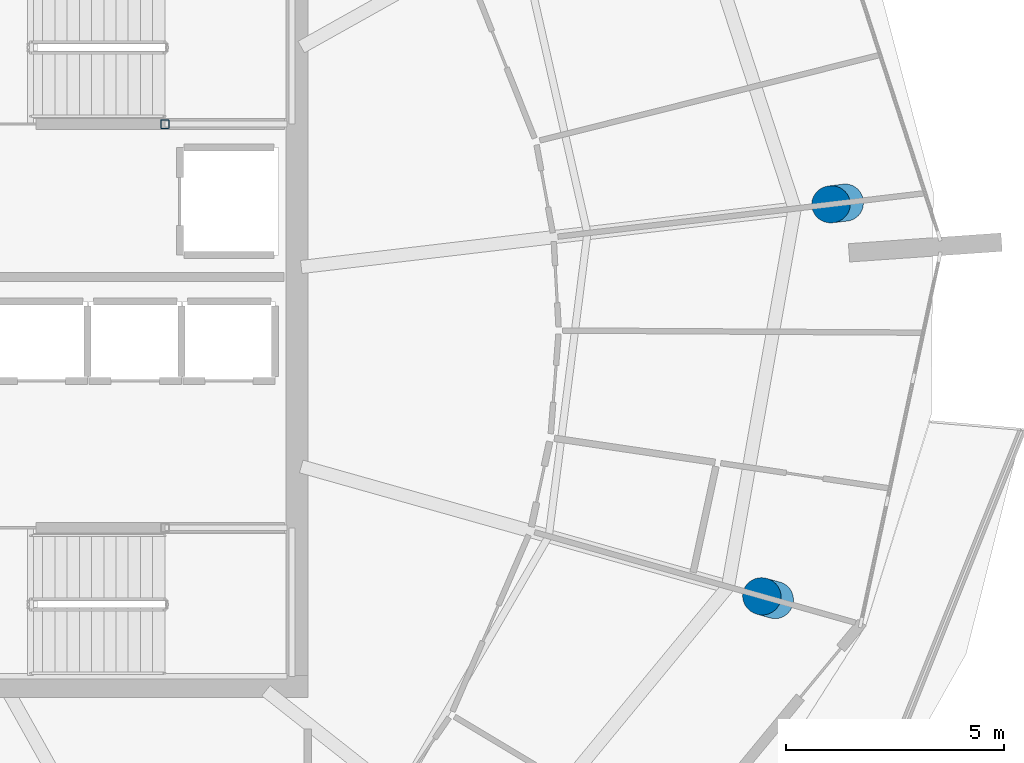
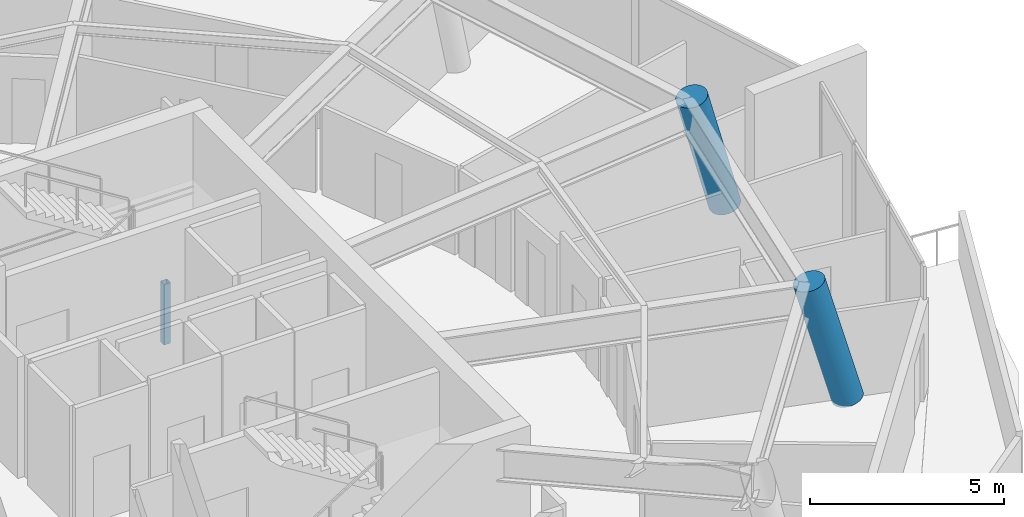
# One storey, part 3 of 19: 3 columns.
"""IFC4 building model written with IfcOpenShell, lengths in metres."""

from ifc_helpers import new_model, si_unit, direction, frame, origin, origin_2d, place, context, subcontext, project, spatial, hollow_rectangle, circle, extrude, material, material_profile, profile_set, type_object, element, save


model = new_model("IFC4")

# Units and contexts
model_context = context("Model", 3, precision=1e-05, world=origin(), true_north=direction((0.0, 1.0)))
body_context = subcontext(model_context, "Body", "Model", "MODEL_VIEW")
ifc_project = project(units=[si_unit("LENGTHUNIT", "METRE"), si_unit("AREAUNIT", "SQUARE_METRE"), si_unit("VOLUMEUNIT", "CUBIC_METRE"), si_unit("PLANEANGLEUNIT", "RADIAN"), si_unit("MASSUNIT", "GRAM", prefix="KILO")], contexts=[model_context])

# Site, building, storey
site_placement = place(None, origin())
site = spatial("IfcSite", under=ifc_project, at=site_placement, CompositionType="ELEMENT")
building_placement = place(site_placement, origin())
building = spatial("IfcBuilding", under=site, at=building_placement, Name="Kazma Halo Residences", CompositionType="ELEMENT")
storey_placement = place(building_placement, frame((0.0, 0.0, 347.300048828125)))
storey = spatial("IfcBuildingStorey", under=building, at=storey_placement, Name="L87", CompositionType="ELEMENT", Elevation=347.300048828125)

# Columns
ifc_material_1 = material(Name="Steel S355", Category="steel")
ifc_material_profile_1 = material_profile(ifc_material_1, hollow_rectangle(XDim=0.199951171875, YDim=0.199951171875, WallThickness=0.010009765625, InnerFilletRadius=0.010009765625, OuterFilletRadius=0.02001953125, at=origin_2d()), Name="SHS200x200x10")
ifc_profile_set_1 = profile_set([ifc_material_profile_1], Name="Steel S355")
column_type_1 = type_object("IfcColumnType", Name="COL-LP-SHS200", PredefinedType="COLUMN", material=ifc_profile_set_1)
column_1_placement = place(storey_placement, frame((56.280029296875, 46.6201171875, 0.0), z_axis=(0.0, 0.0, 1.0), x_axis=(1.0, 0.0, 0.0)))
element("IfcColumn", 1, at=column_1_placement, inside=storey, type_object=column_type_1, Name="L87 ST-02 landing pilaster 1", PredefinedType="COLUMN", context=body_context, shape_type="SweptSolid", body=[
    extrude(hollow_rectangle(XDim=0.199951171875, YDim=0.199951171875, WallThickness=0.010009765625, InnerFilletRadius=0.010009765625, OuterFilletRadius=0.02001953125, at=origin_2d()), origin(), (0.0, 0.0, 1.0), 1.89501953125),
])
ifc_material_2 = material(Name="Concrete C60/75", Category="concrete")
ifc_material_profile_2 = material_profile(ifc_material_2, circle(Radius=0.425048828125, at=origin_2d()), Name="CIRC850")
ifc_profile_set_2 = profile_set([ifc_material_profile_2], Name="Concrete C60/75")
column_type_2 = type_object("IfcColumnType", Name="COL-PERIM-850", PredefinedType="COLUMN", material=ifc_profile_set_2)
column_2_placement = place(storey_placement, frame((70.255615234375, 35.723388671875, 0.0), z_axis=(-0.249679030359, 0.070361834102, 0.965768913406), x_axis=(-0.27124427314, -0.96251054243, 0.0)))
element("IfcColumn", 2, at=column_2_placement, inside=storey, type_object=column_type_2, Name="L87 perimeter ring column P15", PredefinedType="COLUMN", context=body_context, shape_type="SweptSolid", body=[
    extrude(circle(Radius=0.425048828125, at=origin_2d()), origin(), (0.0, 0.0, 1.0), 3.934814453125),
])
column_3_placement = place(storey_placement, frame((71.8603515625, 44.82421875, 0.0), z_axis=(-0.266957826391, -0.031621569144, 0.963189283212), x_axis=(0.117629213307, -0.993057585529, 0.0)))
element("IfcColumn", 3, at=column_3_placement, inside=storey, type_object=column_type_2, Name="L87 perimeter ring column P16", PredefinedType="COLUMN", context=body_context, shape_type="SweptSolid", body=[
    extrude(circle(Radius=0.425048828125, at=origin_2d()), origin(), (0.0, 0.0, 1.0), 3.9453125),
])

save(model, "model.ifc")
